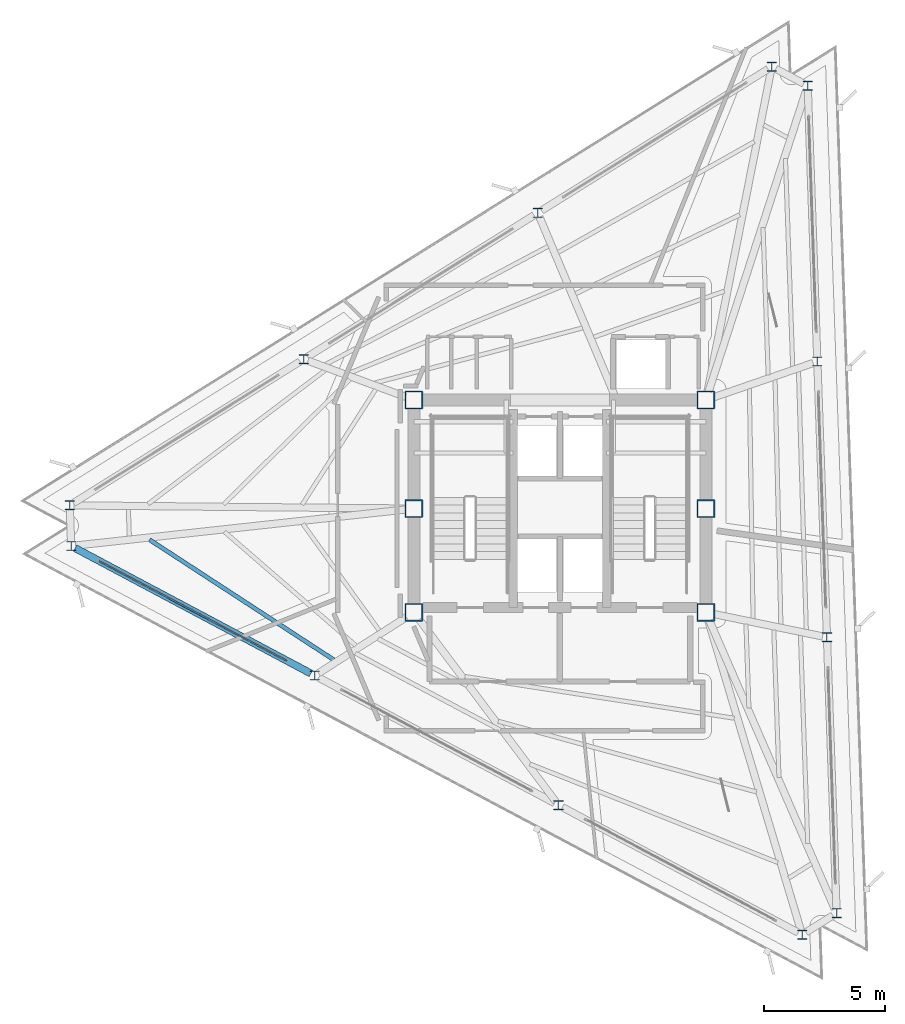
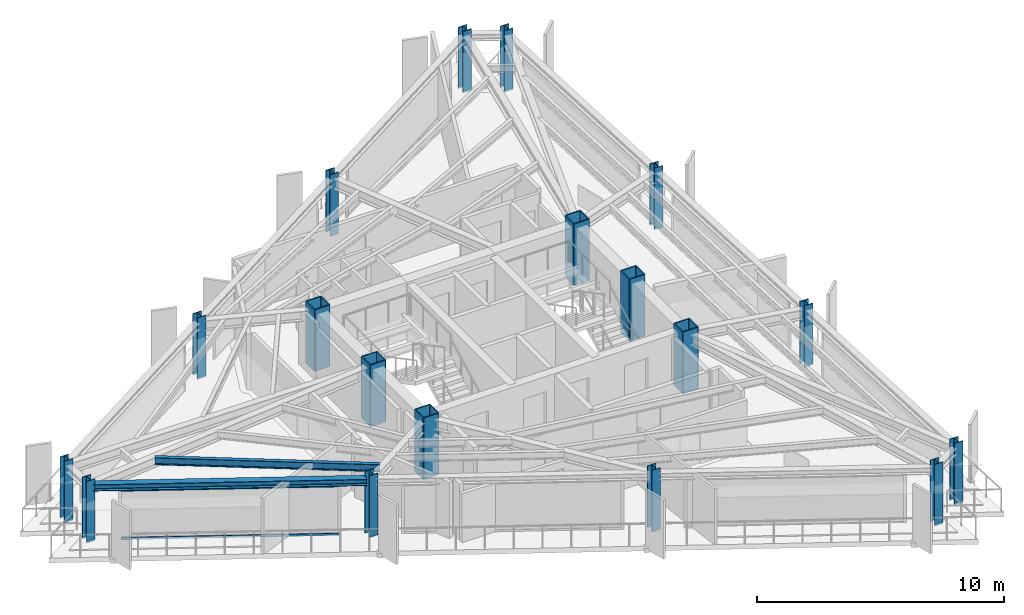
# One storey, part 1 of 13: 18 columns, 2 beams, 2 members, 1 element without a shape of its own.
"""IFC4 building model written with IfcOpenShell, lengths in metres."""

import ifcopenshell
import ifcopenshell.guid

model = None  # the IFC model being written
_history = None  # IfcOwnerHistory: only IFC2X3 demands one
_inside = {}  # id of a spatial element -> (the spatial element, [elements in it])
_under = {}  # id of a project, library or spatial element -> (it, [spatial elements below it])
_declared = {}  # id of a project -> (the project, [libraries it declares])
_typed = {}  # id of a type object -> (the type object, [elements of that type])
_made_of = {}  # id of a material, layer set ... -> (it, [elements and type objects made of it])


def new_model(schema):
    """Start an empty IFC model of exactly this schema.

    Asked for "IFC4X3", IfcOpenShell would pick the latest addendum, in which some entities
    have other attributes; the version numbers below select the first issue.
    IFC2X3 requires an IfcOwnerHistory on every rooted entity: one is made here for all.
    """
    global model, _history
    if schema == "IFC4X3":
        model = ifcopenshell.file(schema_version=(4, 3, 0, 0))
    else:
        model = ifcopenshell.file(schema=schema)
    _inside.clear()
    _under.clear()
    _declared.clear()
    _typed.clear()
    _made_of.clear()
    _history = None
    if model.schema == "IFC2X3":
        org = make("IfcOrganization", Name="unknown")
        user = make(
            "IfcPersonAndOrganization",
            ThePerson=make("IfcPerson", FamilyName="unknown"),
            TheOrganization=org,
        )
        app = make(
            "IfcApplication",
            ApplicationDeveloper=org,
            Version="unknown",
            ApplicationFullName="unknown",
            ApplicationIdentifier="unknown",
        )
        _history = make(
            "IfcOwnerHistory",
            OwningUser=user,
            OwningApplication=app,
            ChangeAction="ADDED",
            CreationDate=0,
        )
    return model


def make(cls, **values):
    """One entity of the class cls with the attributes given. An attribute that is None is left unset."""
    return model.create_entity(
        cls, **{name: value for name, value in values.items() if value is not None}
    )


def rooted(cls, **values):
    """An entity with a GlobalId (a new one), such as an element, a storey or a relation."""
    return make(cls, GlobalId=ifcopenshell.guid.new(), OwnerHistory=_history, **values)


def si_unit(unit_type, name, prefix=None):
    """IfcSIUnit, for example si_unit("LENGTHUNIT", "METRE", prefix="MILLI")."""
    return make("IfcSIUnit", UnitType=unit_type, Prefix=prefix, Name=name)


def assignment(units):
    """IfcUnitAssignment: the units of a project."""
    return None if units is None else make("IfcUnitAssignment", Units=units)


def point(xyz):
    """IfcCartesianPoint."""
    return None if xyz is None else make("IfcCartesianPoint", Coordinates=xyz)


def direction(xyz):
    """IfcDirection."""
    return None if xyz is None else make("IfcDirection", DirectionRatios=xyz)


def frame(location, z_axis=None, x_axis=None):
    """IfcAxis2Placement3D, a coordinate frame: its origin and axes. An axis left out is left unset."""
    return make(
        "IfcAxis2Placement3D",
        Location=point(location),
        Axis=direction(z_axis),
        RefDirection=direction(x_axis),
    )


def frame_2d(location, x_axis=None):
    """IfcAxis2Placement2D, a coordinate frame in the plane: its origin and x axis."""
    return make(
        "IfcAxis2Placement2D", Location=point(location), RefDirection=direction(x_axis)
    )


def origin():
    """The frame at (0, 0, 0) with its axes left unset."""
    return frame((0.0, 0.0, 0.0))


def origin_2d():
    """The frame at (0, 0) in the plane with its x axis left unset."""
    return frame_2d((0.0, 0.0))


def place(relative_to, where):
    """IfcLocalPlacement: puts the frame where relative to a parent placement (None: the world)."""
    return make(
        "IfcLocalPlacement", PlacementRelTo=relative_to, RelativePlacement=where
    )


def context(
    kind, dimensions, precision=None, world=None, true_north=None, identifier=None
):
    """IfcGeometricRepresentationContext, for example the 3D "Model" context."""
    return make(
        "IfcGeometricRepresentationContext",
        ContextIdentifier=identifier,
        ContextType=kind,
        CoordinateSpaceDimension=dimensions,
        Precision=precision,
        WorldCoordinateSystem=world,
        TrueNorth=true_north,
    )


def subcontext(parent, identifier, kind, view, scale=None):
    """IfcGeometricRepresentationSubContext, for example "Body" below "Model"."""
    return make(
        "IfcGeometricRepresentationSubContext",
        ContextIdentifier=identifier,
        ContextType=kind,
        ParentContext=parent,
        TargetScale=scale,
        TargetView=view,
    )


def project(units=None, contexts=None):
    """IfcProject with its units and contexts."""
    return rooted(
        "IfcProject",
        Name="project",
        RepresentationContexts=contexts,
        UnitsInContext=assignment(units),
    )


def spatial(cls, under=None, at=None, **own):
    """A site, building, storey or space (cls), placed at a placement, below another one or the project."""
    s = rooted(cls, ObjectPlacement=at, **own)
    if under is not None:
        _under.setdefault(under.id(), (under, []))[1].append(s)
    return s


def profile(cls, at=None, kind="AREA", **sizes):
    """A parametric profile (cls). Its sizes go by their IFC names, for example OverallWidth=200.0."""
    return make(cls, ProfileType=kind, Position=at, **sizes)


def rectangle(**sizes):
    """IfcRectangleProfileDef."""
    return profile("IfcRectangleProfileDef", **sizes)


def hollow_rectangle(**sizes):
    """IfcRectangleHollowProfileDef."""
    return profile("IfcRectangleHollowProfileDef", **sizes)


def i_section(**sizes):
    """IfcIShapeProfileDef."""
    return profile("IfcIShapeProfileDef", **sizes)


def extrude(swept, where, along, depth):
    """IfcExtrudedAreaSolid: the profile swept, set in the frame where, extruded along a direction by depth."""
    return make(
        "IfcExtrudedAreaSolid",
        SweptArea=swept,
        Position=where,
        ExtrudedDirection=direction(along),
        Depth=depth,
    )


def shape(context_of_items, identifier, shape_type, items):
    """IfcShapeRepresentation: the items that make up one representation, for example the "Body"."""
    return make(
        "IfcShapeRepresentation",
        ContextOfItems=context_of_items,
        RepresentationIdentifier=identifier,
        RepresentationType=shape_type,
        Items=items,
    )


def material(Name=None, Category=None):
    """IfcMaterial."""
    return make("IfcMaterial", Name=Name, Category=Category)


def layer(
    of_material, thickness, ventilated=None, Name=None, Category=None, Priority=None
):
    """IfcMaterialLayer: one layer of a wall or slab, of a material (None: an air gap)."""
    return make(
        "IfcMaterialLayer",
        Material=of_material,
        LayerThickness=thickness,
        IsVentilated=ventilated,
        Name=Name,
        Category=Category,
        Priority=Priority,
    )


def layer_set(layers, Name=None):
    """IfcMaterialLayerSet."""
    return make("IfcMaterialLayerSet", MaterialLayers=layers, LayerSetName=Name)


def material_profile(
    of_material, cross_section, Name=None, Category=None, Priority=None
):
    """IfcMaterialProfile: a cross section and its material."""
    return make(
        "IfcMaterialProfile",
        Name=Name,
        Material=of_material,
        Profile=cross_section,
        Priority=Priority,
        Category=Category,
    )


def profile_set(profiles, Name=None, composite=None):
    """IfcMaterialProfileSet."""
    return make(
        "IfcMaterialProfileSet",
        Name=Name,
        MaterialProfiles=profiles,
        CompositeProfile=composite,
    )


def made_of(thing, what):
    """Note that an element or type object is made of a material, layer set ...; save() writes the relation."""
    if what is not None:
        _made_of.setdefault(what.id(), (what, []))[1].append(thing)
    return thing


def type_object(cls, material=None, **own):
    """A type object (cls), such as IfcWallType, which elements share."""
    return made_of(rooted(cls, **own), material)


def element(
    cls,
    number,
    at=None,
    inside=None,
    cuts=None,
    type_object=None,
    material=None,
    context=None,
    identifier="Body",
    shape_type=None,
    held_by="IfcProductDefinitionShape",
    body=None,
    shapes=None,
    **own,
):
    """One element of the class cls, such as IfcWall. Its Tag is "e" and its number.

    at: its placement. inside: the storey or other place that contains it. cuts: it is an
    opening in that element (IfcRelVoidsElement). A single representation is given by context,
    identifier, shape_type and body (its items); several are given by shapes. held_by: the class
    of the entity that holds the representations. save() writes the other relations.
    """
    e = rooted(cls, Tag="e%d" % number, ObjectPlacement=at, **own)
    if body is not None:
        shapes = [shape(context, identifier, shape_type, body)]
    if shapes is not None:
        e.Representation = make(held_by, Representations=shapes)
    if inside is not None:
        _inside.setdefault(inside.id(), (inside, []))[1].append(e)
    if cuts is not None:
        rooted(
            "IfcRelVoidsElement", RelatingBuildingElement=cuts, RelatedOpeningElement=e
        )
    if type_object is not None:
        _typed.setdefault(type_object.id(), (type_object, []))[1].append(e)
    return made_of(e, material)


def aggregate(whole, parts):
    """IfcRelAggregates: a whole, such as a stair, and the parts it consists of."""
    return rooted("IfcRelAggregates", RelatingObject=whole, RelatedObjects=parts)


def save(model, path):
    """Write the relations noted so far, then the file.

    IfcRelAggregates (storeys below a building ...), IfcRelContainedInSpatialStructure (elements
    in a storey), IfcRelDefinesByType, IfcRelAssociatesMaterial and IfcRelDeclares: one each for
    every whole, place, type object, material and project.
    """
    for whole, parts in _under.values():
        aggregate(whole, parts)
    for where, things in _inside.values():
        rooted(
            "IfcRelContainedInSpatialStructure",
            RelatedElements=things,
            RelatingStructure=where,
        )
    for kind, things in _typed.values():
        rooted("IfcRelDefinesByType", RelatedObjects=things, RelatingType=kind)
    for what, things in _made_of.values():
        rooted("IfcRelAssociatesMaterial", RelatedObjects=things, RelatingMaterial=what)
    for by, libraries in _declared.values():
        rooted("IfcRelDeclares", RelatingContext=by, RelatedDefinitions=libraries)
    model.write(path)


model = new_model("IFC4")

# Units and contexts
model_context = context("Model", 3, precision=1e-05, world=origin(), true_north=direction((0.0, 1.0)))
body_context = subcontext(model_context, "Body", "Model", "MODEL_VIEW")
ifc_project = project(units=[si_unit("LENGTHUNIT", "METRE"), si_unit("AREAUNIT", "SQUARE_METRE"), si_unit("VOLUMEUNIT", "CUBIC_METRE"), si_unit("PLANEANGLEUNIT", "RADIAN"), si_unit("MASSUNIT", "GRAM", prefix="KILO")], contexts=[model_context])

# Site, building, storey
site_placement = place(None, origin())
site = spatial("IfcSite", under=ifc_project, at=site_placement, CompositionType="ELEMENT")
building_placement = place(site_placement, origin())
building = spatial("IfcBuilding", under=site, at=building_placement, Name="Rocaltana Carrier Exchange", CompositionType="ELEMENT")
storey_placement = place(building_placement, frame((0.0, 0.0, 202.719970703125)))
storey = spatial("IfcBuildingStorey", under=building, at=storey_placement, Name="L64", CompositionType="ELEMENT", Elevation=202.719970703125)

# Columns
ifc_material_1 = material(Name="Steel S460", Category="steel")
ifc_material_profile_1 = material_profile(ifc_material_1, hollow_rectangle(XDim=0.75, YDim=0.75, WallThickness=0.050048828125, InnerFilletRadius=0.02001953125, OuterFilletRadius=0.0400390625, at=origin_2d()), Name="BOX750X750X50")
ifc_profile_set_1 = profile_set([ifc_material_profile_1], Name="Steel S460")
column_type_1 = type_object("IfcColumnType", Name="Core Mega-Column BOX750", PredefinedType="COLUMN", material=ifc_profile_set_1)
for number, where, z_axis, x_axis, name in (
    (1, (-6.050048828125, 4.5, 0.0), (0.0, 0.0, 1.0), (1.0, 0.0, 0.0), "L64 Core Mega-Column MC1"),
    (2, (6.050048828125, 4.5, 0.0), (0.0, 0.0, 1.0), (1.0, 0.0, 0.0), "L64 Core Mega-Column MC2"),
    (3, (-6.050048828125, 0.0, 0.0), (0.0, 0.0, 1.0), (1.0, 0.0, 0.0), "L64 Core Mega-Column MC3"),
    (4, (6.050048828125, 0.0, 0.0), (0.0, 0.0, 1.0), (1.0, 0.0, 0.0), "L64 Core Mega-Column MC4"),
    (5, (-6.050048828125, -4.300048828125, 0.0), (0.0, 0.0, 1.0), (1.0, 0.0, 0.0), "L64 Core Mega-Column MC5"),
    (6, (6.050048828125, -4.300048828125, 0.0), (0.0, 0.0, 1.0), (1.0, 0.0, 0.0), "L64 Core Mega-Column MC6"),
):
    element("IfcColumn", number, at=place(storey_placement, frame(where, z_axis=z_axis, x_axis=x_axis)), inside=storey, type_object=column_type_1, Name=name, PredefinedType="COLUMN", context=body_context, shape_type="SweptSolid", body=[
        extrude(hollow_rectangle(XDim=0.75, YDim=0.75, WallThickness=0.050048828125, InnerFilletRadius=0.02001953125, OuterFilletRadius=0.0400390625, at=origin_2d()), origin(), (0.0, 0.0, 1.0), 3.0400390625),
    ])
ifc_material_2 = material(Name="Steel S355", Category="steel")
ifc_material_profile_2 = material_profile(ifc_material_2, i_section(OverallWidth=0.39794921875, OverallDepth=0.386962890625, WebThickness=0.02099609375, FlangeThickness=0.033203125, FilletRadius=0.01806640625, at=origin_2d()), Name="W14X176")
ifc_profile_set_2 = profile_set([ifc_material_profile_2], Name="Steel S355")
column_type_2 = type_object("IfcColumnType", Name="Perimeter Column W14X176", PredefinedType="COLUMN", material=ifc_profile_set_2)
for number, where, z_axis, x_axis, name in (
    (7, (11.46630859375, -16.760009765625, 0.0), (0.0, 0.0, 1.0), (1.0, 0.0, 0.0), "L64 Perimeter Column TC01"),
    (8, (11.067138671875, -5.333740234375, 0.0), (0.0, 0.0, 1.0), (1.0, 0.0, 0.0), "L64 Perimeter Column TC02"),
    (9, (10.668212890625, 6.0927734375, 0.0), (0.0, 0.0, 1.0), (1.0, 0.0, 0.0), "L64 Perimeter Column TC03"),
    (10, (10.269287109375, 17.51904296875, 0.0), (0.0, 0.0, 1.0), (1.0, 0.0, 0.0), "L64 Perimeter Column TC04"),
    (11, (8.781494140625, 18.31005859375, 0.0), (0.0, 0.0, 1.0), (1.0, 0.0, 0.0), "L64 Perimeter Column TC05"),
    (12, (-0.91455078125, 12.251220703125, 0.0), (0.0, 0.0, 1.0), (1.0, 0.0, 0.0), "L64 Perimeter Column TC06"),
    (13, (-10.610595703125, 6.192626953125, 0.0), (0.0, 0.0, 1.0), (1.0, 0.0, 0.0), "L64 Perimeter Column TC07"),
    (14, (-20.306640625, 0.1337890625, 0.0), (0.0, 0.0, 1.0), (1.0, 0.0, 0.0), "L64 Perimeter Column TC08"),
    (15, (-20.247802734375, -1.550048828125, 0.0), (0.0, 0.0, 1.0), (1.0, 0.0, 0.0), "L64 Perimeter Column TC09"),
    (16, (-10.152587890625, -6.917724609375, 0.0), (0.0, 0.0, 1.0), (1.0, 0.0, 0.0), "L64 Perimeter Column TC10"),
    (17, (-0.0576171875, -12.285400390625, 0.0), (0.0, 0.0, 1.0), (1.0, 0.0, 0.0), "L64 Perimeter Column TC11"),
    (18, (10.037353515625, -17.65283203125, 0.0), (0.0, 0.0, 1.0), (1.0, 0.0, 0.0), "L64 Perimeter Column TC12"),
):
    element("IfcColumn", number, at=place(storey_placement, frame(where, z_axis=z_axis, x_axis=x_axis)), inside=storey, type_object=column_type_2, Name=name, PredefinedType="COLUMN", context=body_context, shape_type="SweptSolid", body=[
        extrude(i_section(OverallWidth=0.39794921875, OverallDepth=0.386962890625, WebThickness=0.02099609375, FlangeThickness=0.033203125, FilletRadius=0.01806640625, at=origin_2d()), origin(), (0.0, 0.0, 1.0), 3.0400390625),
    ])

# Curtain wall, members
ifc_material_3 = material(Name="Aluminium 6063-T6", Category="aluminium")
ifc_layer = layer(ifc_material_3, 0.1201171875)
ifc_layer_set = layer_set([ifc_layer], Name="Aluminium 6063-T6")
curtain_wall_type = type_object("IfcCurtainWallType", Name="High-Altitude Thermal Curtain Wall CW-05", PredefinedType="NOTDEFINED", material=ifc_layer_set)
curtain_wall_placement = place(storey_placement, origin())
curtain_wall = element("IfcCurtainWall", 19, at=curtain_wall_placement, inside=storey, type_object=curtain_wall_type, Name="L64 CW-05 Run CW-L64-F3S1", PredefinedType="NOTDEFINED")
ifc_material_4 = material(Name="Aluminium 6063-T6", Category="aluminium")
ifc_material_profile_3 = material_profile(ifc_material_4, rectangle(XDim=0.06005859375, YDim=0.1201171875, at=origin_2d()), Name="AL-60X120")
ifc_profile_set_3 = profile_set([ifc_material_profile_3], Name="Aluminium 6063-T6")
member_type = type_object("IfcMemberType", Name="CW-05 Transom AL-60X120", PredefinedType="USERDEFINED", material=ifc_profile_set_3)
member_1_placement = place(storey_placement, frame((-19.091064453125, -2.1650390625, 0.030029296875), z_axis=(0.882944221824, -0.469477902726, 0.0), x_axis=(0.469477902726, 0.882944221824, 0.0)))
member_1 = element("IfcMember", 20, at=member_1_placement, type_object=member_type, Name="CW-05 transom 1.1", ObjectType="TRANSOM", PredefinedType="USERDEFINED", context=body_context, shape_type="SweptSolid", body=[
    extrude(rectangle(XDim=0.06005859375, YDim=0.1201171875, at=origin_2d()), origin(), (0.0, 0.0, 1.0), 8.8134765625),
])
member_2_placement = place(storey_placement, frame((-19.091064453125, -2.1650390625, 2.41796875), z_axis=(0.882944221824, -0.469477902726, 0.0), x_axis=(0.469477902726, 0.882944221824, 0.0)))
member_2 = element("IfcMember", 21, at=member_2_placement, type_object=member_type, Name="CW-05 transom 1.2", ObjectType="TRANSOM", PredefinedType="USERDEFINED", context=body_context, shape_type="SweptSolid", body=[
    extrude(rectangle(XDim=0.06005859375, YDim=0.1201171875, at=origin_2d()), origin(), (0.0, 0.0, 1.0), 8.8134765625),
])
aggregate(curtain_wall, [member_1, member_2])

# Beams
ifc_material_5 = material(Name="Steel S355", Category="steel")
ifc_material_profile_4 = material_profile(ifc_material_5, i_section(OverallWidth=0.172119140625, OverallDepth=0.35791015625, WebThickness=0.0078125, FlangeThickness=0.01318359375, FilletRadius=0.011962890625, at=origin_2d()), Name="W14X38")
ifc_profile_set_4 = profile_set([ifc_material_profile_4], Name="Steel S355")
beam_type_1 = type_object("IfcBeamType", Name="Floor Joist W14X38", PredefinedType="JOIST", material=ifc_profile_set_4)
beam_1_placement = place(storey_placement, frame((-17.003662109375, -1.28759765625, 2.619140625), z_axis=(0.837735841747, -0.546075690223, 0.0), x_axis=(0.546075690223, 0.837735841747, 0.0)))
element("IfcBeam", 22, at=beam_1_placement, inside=storey, type_object=beam_type_1, Name="FJ-L64-09-3", PredefinedType="JOIST", context=body_context, shape_type="SweptSolid", body=[
    extrude(i_section(OverallWidth=0.172119140625, OverallDepth=0.35791015625, WebThickness=0.0078125, FlangeThickness=0.01318359375, FilletRadius=0.011962890625, at=origin_2d()), origin(), (0.0, 0.0, 1.0), 9.111572265625),
])
ifc_material_6 = material(Name="Steel S355", Category="steel")
ifc_material_profile_5 = material_profile(ifc_material_6, i_section(OverallWidth=0.300048828125, OverallDepth=0.320068359375, WebThickness=0.011474609375, FlangeThickness=0.0205078125, FilletRadius=0.027099609375, at=origin_2d()), Name="HEB320")
ifc_profile_set_5 = profile_set([ifc_material_profile_5], Name="Steel S355")
beam_type_2 = type_object("IfcBeamType", Name="Spandrel Edge Beam HEB320", PredefinedType="SPANDREL", material=ifc_profile_set_5)
beam_2_placement = place(storey_placement, frame((-20.083984375, -1.63720703125, 2.637939453125), z_axis=(0.882953364768, -0.469460707242, 0.0), x_axis=(0.469460707242, 0.882953364768, 0.0)))
element("IfcBeam", 23, at=beam_2_placement, inside=storey, type_object=beam_type_2, Name="SP-L64-09", PredefinedType="SPANDREL", context=body_context, shape_type="SweptSolid", body=[
    extrude(i_section(OverallWidth=0.300048828125, OverallDepth=0.320068359375, WebThickness=0.011474609375, FlangeThickness=0.0205078125, FilletRadius=0.027099609375, at=origin_2d()), origin(), (0.0, 0.0, 1.0), 11.0625),
])

save(model, "model.ifc")
